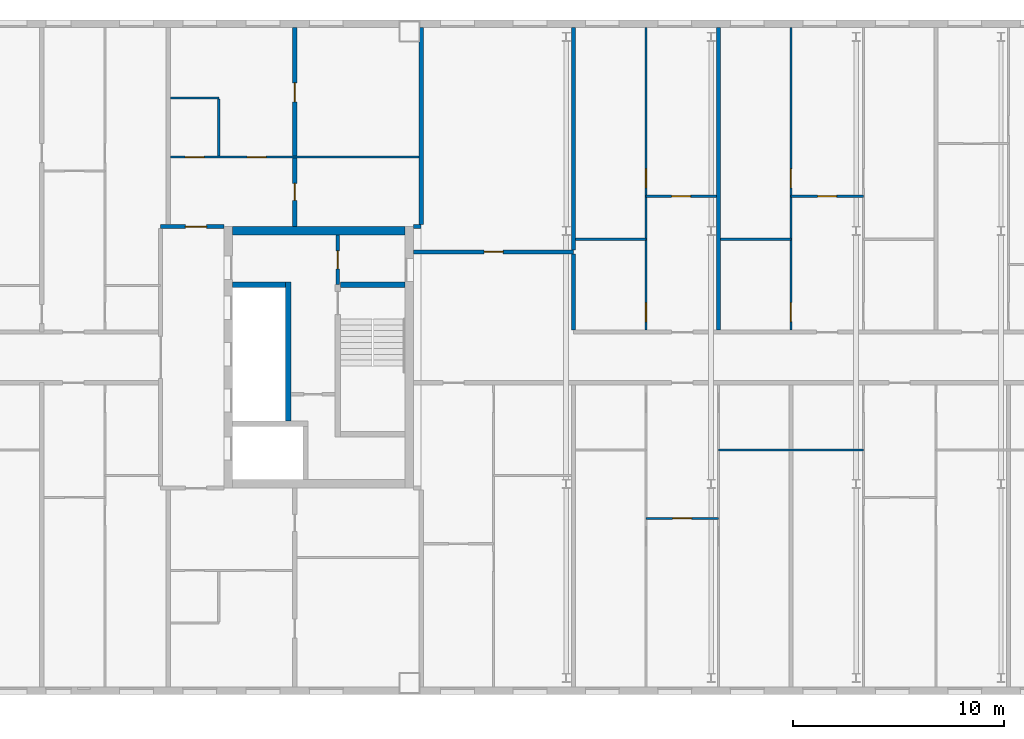
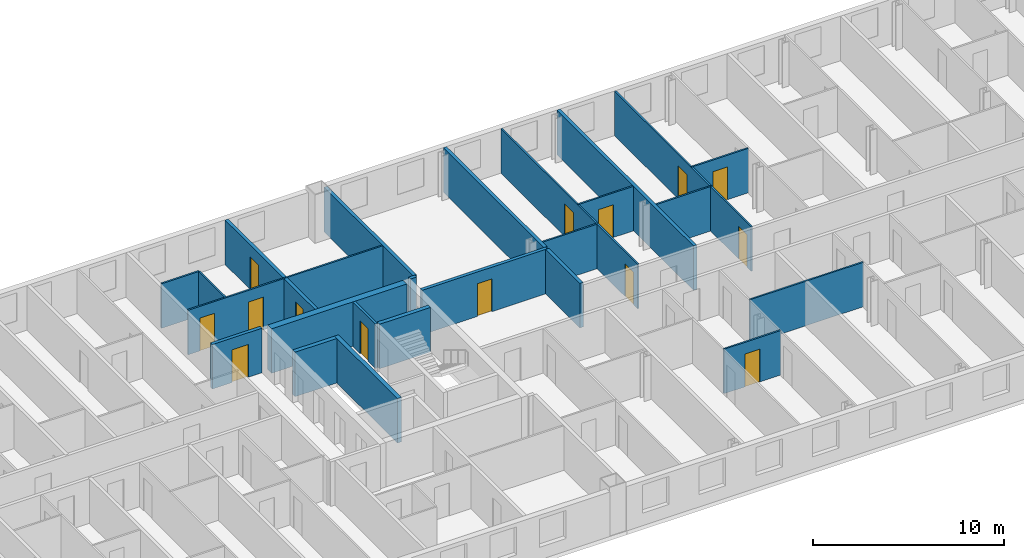
# One storey, part 9 of 19: 24 walls, 14 doors, 14 openings.
"""IFC4 building model written with IfcOpenShell, lengths in metres."""

import ifcopenshell
import ifcopenshell.guid

model = None  # the IFC model being written
_history = None  # IfcOwnerHistory: only IFC2X3 demands one
_inside = {}  # id of a spatial element -> (the spatial element, [elements in it])
_under = {}  # id of a project, library or spatial element -> (it, [spatial elements below it])
_declared = {}  # id of a project -> (the project, [libraries it declares])
_typed = {}  # id of a type object -> (the type object, [elements of that type])
_made_of = {}  # id of a material, layer set ... -> (it, [elements and type objects made of it])


def new_model(schema):
    """Start an empty IFC model of exactly this schema.

    Asked for "IFC4X3", IfcOpenShell would pick the latest addendum, in which some entities
    have other attributes; the version numbers below select the first issue.
    IFC2X3 requires an IfcOwnerHistory on every rooted entity: one is made here for all.
    """
    global model, _history
    if schema == "IFC4X3":
        model = ifcopenshell.file(schema_version=(4, 3, 0, 0))
    else:
        model = ifcopenshell.file(schema=schema)
    _inside.clear()
    _under.clear()
    _declared.clear()
    _typed.clear()
    _made_of.clear()
    _history = None
    if model.schema == "IFC2X3":
        org = make("IfcOrganization", Name="unknown")
        user = make(
            "IfcPersonAndOrganization",
            ThePerson=make("IfcPerson", FamilyName="unknown"),
            TheOrganization=org,
        )
        app = make(
            "IfcApplication",
            ApplicationDeveloper=org,
            Version="unknown",
            ApplicationFullName="unknown",
            ApplicationIdentifier="unknown",
        )
        _history = make(
            "IfcOwnerHistory",
            OwningUser=user,
            OwningApplication=app,
            ChangeAction="ADDED",
            CreationDate=0,
        )
    return model


def make(cls, **values):
    """One entity of the class cls with the attributes given. An attribute that is None is left unset."""
    return model.create_entity(
        cls, **{name: value for name, value in values.items() if value is not None}
    )


def rooted(cls, **values):
    """An entity with a GlobalId (a new one), such as an element, a storey or a relation."""
    return make(cls, GlobalId=ifcopenshell.guid.new(), OwnerHistory=_history, **values)


def si_unit(unit_type, name, prefix=None):
    """IfcSIUnit, for example si_unit("LENGTHUNIT", "METRE", prefix="MILLI")."""
    return make("IfcSIUnit", UnitType=unit_type, Prefix=prefix, Name=name)


def assignment(units):
    """IfcUnitAssignment: the units of a project."""
    return None if units is None else make("IfcUnitAssignment", Units=units)


def point(xyz):
    """IfcCartesianPoint."""
    return None if xyz is None else make("IfcCartesianPoint", Coordinates=xyz)


def direction(xyz):
    """IfcDirection."""
    return None if xyz is None else make("IfcDirection", DirectionRatios=xyz)


def frame(location, z_axis=None, x_axis=None):
    """IfcAxis2Placement3D, a coordinate frame: its origin and axes. An axis left out is left unset."""
    return make(
        "IfcAxis2Placement3D",
        Location=point(location),
        Axis=direction(z_axis),
        RefDirection=direction(x_axis),
    )


def frame_2d(location, x_axis=None):
    """IfcAxis2Placement2D, a coordinate frame in the plane: its origin and x axis."""
    return make(
        "IfcAxis2Placement2D", Location=point(location), RefDirection=direction(x_axis)
    )


def origin():
    """The frame at (0, 0, 0) with its axes left unset."""
    return frame((0.0, 0.0, 0.0))


def place(relative_to, where):
    """IfcLocalPlacement: puts the frame where relative to a parent placement (None: the world)."""
    return make(
        "IfcLocalPlacement", PlacementRelTo=relative_to, RelativePlacement=where
    )


def context(
    kind, dimensions, precision=None, world=None, true_north=None, identifier=None
):
    """IfcGeometricRepresentationContext, for example the 3D "Model" context."""
    return make(
        "IfcGeometricRepresentationContext",
        ContextIdentifier=identifier,
        ContextType=kind,
        CoordinateSpaceDimension=dimensions,
        Precision=precision,
        WorldCoordinateSystem=world,
        TrueNorth=true_north,
    )


def subcontext(parent, identifier, kind, view, scale=None):
    """IfcGeometricRepresentationSubContext, for example "Body" below "Model"."""
    return make(
        "IfcGeometricRepresentationSubContext",
        ContextIdentifier=identifier,
        ContextType=kind,
        ParentContext=parent,
        TargetScale=scale,
        TargetView=view,
    )


def project(units=None, contexts=None):
    """IfcProject with its units and contexts."""
    return rooted(
        "IfcProject",
        Name="project",
        RepresentationContexts=contexts,
        UnitsInContext=assignment(units),
    )


def spatial(cls, under=None, at=None, **own):
    """A site, building, storey or space (cls), placed at a placement, below another one or the project."""
    s = rooted(cls, ObjectPlacement=at, **own)
    if under is not None:
        _under.setdefault(under.id(), (under, []))[1].append(s)
    return s


def profile(cls, at=None, kind="AREA", **sizes):
    """A parametric profile (cls). Its sizes go by their IFC names, for example OverallWidth=200.0."""
    return make(cls, ProfileType=kind, Position=at, **sizes)


def rectangle(**sizes):
    """IfcRectangleProfileDef."""
    return profile("IfcRectangleProfileDef", **sizes)


def extrude(swept, where, along, depth):
    """IfcExtrudedAreaSolid: the profile swept, set in the frame where, extruded along a direction by depth."""
    return make(
        "IfcExtrudedAreaSolid",
        SweptArea=swept,
        Position=where,
        ExtrudedDirection=direction(along),
        Depth=depth,
    )


def shape(context_of_items, identifier, shape_type, items):
    """IfcShapeRepresentation: the items that make up one representation, for example the "Body"."""
    return make(
        "IfcShapeRepresentation",
        ContextOfItems=context_of_items,
        RepresentationIdentifier=identifier,
        RepresentationType=shape_type,
        Items=items,
    )


def material(Name=None, Category=None):
    """IfcMaterial."""
    return make("IfcMaterial", Name=Name, Category=Category)


def layer(
    of_material, thickness, ventilated=None, Name=None, Category=None, Priority=None
):
    """IfcMaterialLayer: one layer of a wall or slab, of a material (None: an air gap)."""
    return make(
        "IfcMaterialLayer",
        Material=of_material,
        LayerThickness=thickness,
        IsVentilated=ventilated,
        Name=Name,
        Category=Category,
        Priority=Priority,
    )


def layer_set(layers, Name=None):
    """IfcMaterialLayerSet."""
    return make("IfcMaterialLayerSet", MaterialLayers=layers, LayerSetName=Name)


def made_of(thing, what):
    """Note that an element or type object is made of a material, layer set ...; save() writes the relation."""
    if what is not None:
        _made_of.setdefault(what.id(), (what, []))[1].append(thing)
    return thing


def type_object(cls, material=None, **own):
    """A type object (cls), such as IfcWallType, which elements share."""
    return made_of(rooted(cls, **own), material)


def element(
    cls,
    number,
    at=None,
    inside=None,
    cuts=None,
    type_object=None,
    material=None,
    context=None,
    identifier="Body",
    shape_type=None,
    held_by="IfcProductDefinitionShape",
    body=None,
    shapes=None,
    **own,
):
    """One element of the class cls, such as IfcWall. Its Tag is "e" and its number.

    at: its placement. inside: the storey or other place that contains it. cuts: it is an
    opening in that element (IfcRelVoidsElement). A single representation is given by context,
    identifier, shape_type and body (its items); several are given by shapes. held_by: the class
    of the entity that holds the representations. save() writes the other relations.
    """
    e = rooted(cls, Tag="e%d" % number, ObjectPlacement=at, **own)
    if body is not None:
        shapes = [shape(context, identifier, shape_type, body)]
    if shapes is not None:
        e.Representation = make(held_by, Representations=shapes)
    if inside is not None:
        _inside.setdefault(inside.id(), (inside, []))[1].append(e)
    if cuts is not None:
        rooted(
            "IfcRelVoidsElement", RelatingBuildingElement=cuts, RelatedOpeningElement=e
        )
    if type_object is not None:
        _typed.setdefault(type_object.id(), (type_object, []))[1].append(e)
    return made_of(e, material)


def fill(opening, filler):
    """IfcRelFillsElement: the door or window that sits in an opening."""
    return rooted(
        "IfcRelFillsElement",
        RelatingOpeningElement=opening,
        RelatedBuildingElement=filler,
    )


def aggregate(whole, parts):
    """IfcRelAggregates: a whole, such as a stair, and the parts it consists of."""
    return rooted("IfcRelAggregates", RelatingObject=whole, RelatedObjects=parts)


def save(model, path):
    """Write the relations noted so far, then the file.

    IfcRelAggregates (storeys below a building ...), IfcRelContainedInSpatialStructure (elements
    in a storey), IfcRelDefinesByType, IfcRelAssociatesMaterial and IfcRelDeclares: one each for
    every whole, place, type object, material and project.
    """
    for whole, parts in _under.values():
        aggregate(whole, parts)
    for where, things in _inside.values():
        rooted(
            "IfcRelContainedInSpatialStructure",
            RelatedElements=things,
            RelatingStructure=where,
        )
    for kind, things in _typed.values():
        rooted("IfcRelDefinesByType", RelatedObjects=things, RelatingType=kind)
    for what, things in _made_of.values():
        rooted("IfcRelAssociatesMaterial", RelatedObjects=things, RelatingMaterial=what)
    for by, libraries in _declared.values():
        rooted("IfcRelDeclares", RelatingContext=by, RelatedDefinitions=libraries)
    model.write(path)


model = new_model("IFC4")

# Units and contexts
model_context = context("Model", 3, precision=1e-05, world=origin(), true_north=direction((0.0, 1.0)))
body_context = subcontext(model_context, "Body", "Model", "MODEL_VIEW")
ifc_project = project(units=[si_unit("LENGTHUNIT", "METRE"), si_unit("AREAUNIT", "SQUARE_METRE"), si_unit("VOLUMEUNIT", "CUBIC_METRE"), si_unit("PLANEANGLEUNIT", "RADIAN"), si_unit("MASSUNIT", "GRAM", prefix="KILO")], contexts=[model_context])

# Site, building, storey
site_placement = place(None, origin())
site = spatial("IfcSite", under=ifc_project, at=site_placement, CompositionType="ELEMENT")
building_placement = place(site_placement, origin())
building = spatial("IfcBuilding", under=site, at=building_placement, Name="Tuart Gate Housing", CompositionType="ELEMENT")
storey_placement = place(building_placement, frame((0.0, 0.0, 224.5)))
storey = spatial("IfcBuildingStorey", under=building, at=storey_placement, Name="L63", CompositionType="ELEMENT", Elevation=224.5)

# Wall, opening, door
ifc_material_1 = material(Name="Plasterboard partition")
ifc_layer_1 = layer(ifc_material_1, 0.14990234375)
ifc_layer_set_1 = layer_set([ifc_layer_1], Name="Core partition 150")
wall_type_1 = type_object("IfcWallType", Name="Core partition 150", PredefinedType="PARTITIONING", material=ifc_layer_set_1)
wall_1_placement = place(storey_placement, frame((72.0400390625, 73.449951171875, 0.0), z_axis=(0.0, 0.0, 1.0), x_axis=(0.0, 1.0, 0.0)))
wall_1 = element("IfcWall", 1, at=wall_1_placement, inside=storey, type_object=wall_type_1, Name="Core partition AG.9", PredefinedType="PARTITIONING", context=body_context, shape_type="SweptSolid", body=[
    extrude(rectangle(XDim=2.35009765625, YDim=0.14990234375, at=frame_2d((1.175048828125, 0.0))), origin(), (0.0, 0.0, 1.0), 2.85009765625),
])
opening_1_placement = place(wall_1_placement, frame((0.75, 0.0, 0.0)))
opening_1 = element("IfcOpeningElement", 2, at=opening_1_placement, cuts=wall_1, Name="Opening D2297", PredefinedType="OPENING", context=body_context, shape_type="SweptSolid", body=[
    extrude(rectangle(XDim=0.85009765625, YDim=2.10009765625, at=frame_2d((0.425048828125, 1.050048828125))), frame((0.0, 0.0849609375, 0.0), z_axis=(0.0, -1.0, 0.0), x_axis=(1.0, 0.0, 0.0)), (0.0, 0.0, 1.0), 0.169921875),
])
ifc_material_2 = material(Name="Steel fire door", Category="steel")
door_type_1 = type_object("IfcDoorType", Name="Service door 850 x 2100 RH", OperationType="SINGLE_SWING_RIGHT", PredefinedType="DOOR", material=ifc_material_2)
door_1_placement = place(opening_1_placement, frame((0.85009765625, 0.0, 0.0), z_axis=(0.0, 0.0, 1.0), x_axis=(-1.0, 0.0, 0.0)))
door_1 = element("IfcDoor", 3, at=door_1_placement, inside=storey, type_object=door_type_1, Name="Service room door AG.ST", OperationType="SINGLE_SWING_RIGHT", OverallHeight=2.10009765625, OverallWidth=0.85009765625, PredefinedType="DOOR", context=body_context, shape_type="SweptSolid", body=[
    extrude(rectangle(XDim=0.85009765625, YDim=2.10009765625, at=frame_2d((0.425048828125, 1.050048828125))), frame((0.0, 0.025146484375, 0.0), z_axis=(0.0, -1.0, 0.0), x_axis=(1.0, 0.0, 0.0)), (0.0, 0.0, 1.0), 0.050048828125),
])
fill(opening_1, door_1)

# Walls
ifc_material_3 = material(Name="Concrete C40", Category="concrete")
ifc_layer_2 = layer(ifc_material_3, 0.25)
ifc_layer_set_2 = layer_set([ifc_layer_2], Name="Core wall 250 C40")
wall_type_2 = type_object("IfcWallType", Name="Core wall 250 C40", PredefinedType="SHEAR", material=ifc_layer_set_2)
wall_2_placement = place(storey_placement, frame((67.0400390625, 73.449951171875, 0.0), z_axis=(0.0, 0.0, 1.0), x_axis=(1.0, 0.0, 0.0)))
element("IfcWall", 4, at=wall_2_placement, inside=storey, type_object=wall_type_2, Name="Core wall AG.4", PredefinedType="SHEAR", context=body_context, shape_type="SweptSolid", body=[
    extrude(rectangle(XDim=2.52490234375, YDim=0.25, at=frame_2d((1.262451171875, 0.0))), origin(), (0.0, 0.0, 1.0), 2.85009765625),
])
wall_3_placement = place(storey_placement, frame((72.1650390625, 73.449951171875, 0.0), z_axis=(0.0, 0.0, 1.0), x_axis=(1.0, 0.0, 0.0)))
element("IfcWall", 5, at=wall_3_placement, inside=storey, type_object=wall_type_2, Name="Core wall AG.5", PredefinedType="SHEAR", context=body_context, shape_type="SweptSolid", body=[
    extrude(rectangle(XDim=3.074951171875, YDim=0.25, at=frame_2d((1.53759765625, 0.0))), origin(), (0.0, 0.0, 1.0), 2.85009765625),
])
wall_4_placement = place(storey_placement, frame((69.68994140625, 66.97509765625, 0.0), z_axis=(0.0, 0.0, 1.0), x_axis=(0.0, 1.0, 0.0)))
element("IfcWall", 6, at=wall_4_placement, inside=storey, type_object=wall_type_2, Name="Core wall AG.6", PredefinedType="SHEAR", context=body_context, shape_type="SweptSolid", body=[
    extrude(rectangle(XDim=6.599853515625, YDim=0.25, at=frame_2d((3.2998046875, 0.0))), origin(), (0.0, 0.0, 1.0), 2.85009765625),
])
ifc_material_4 = material(Name="Concrete C40", Category="concrete")
ifc_layer_3 = layer(ifc_material_4, 0.39990234375)
ifc_layer_set_3 = layer_set([ifc_layer_3], Name="Core wall 400 C40")
wall_type_3 = type_object("IfcWallType", Name="Core wall 400 C40", PredefinedType="SHEAR", material=ifc_layer_set_3)
wall_5_placement = place(storey_placement, frame((67.0400390625, 76.0, 0.0), z_axis=(0.0, 0.0, 1.0), x_axis=(1.0, 0.0, 0.0)))
element("IfcWall", 7, at=wall_5_placement, inside=storey, type_object=wall_type_3, Name="Core wall AG north", PredefinedType="SHEAR", context=body_context, shape_type="SweptSolid", body=[
    extrude(rectangle(XDim=8.199951171875, YDim=0.39990234375, at=frame_2d((4.10009765625, 0.0))), origin(), (0.0, 0.0, 1.0), 2.85009765625),
])

# Wall, opening, door
ifc_material_5 = material(Name="Concrete masonry 15 MPa", Category="masonry")
ifc_layer_4 = layer(ifc_material_5, 0.199951171875)
ifc_layer_set_4 = layer_set([ifc_layer_4], Name="Corridor wall masonry 200")
wall_type_4 = type_object("IfcWallType", Name="Corridor wall masonry 200", PredefinedType="PARTITIONING", material=ifc_layer_set_4)
wall_6_placement = place(storey_placement, frame((75.639892578125, 75.0, 0.0), z_axis=(0.0, 0.0, 1.0), x_axis=(1.0, 0.0, 0.0)))
wall_6 = element("IfcWall", 8, at=wall_6_placement, inside=storey, type_object=wall_type_4, Name="Corridor wall masonry 200", PredefinedType="PARTITIONING", context=body_context, shape_type="SweptSolid", body=[
    extrude(rectangle(XDim=7.585205078125, YDim=0.199951171875, at=frame_2d((3.79248046875, 0.0))), origin(), (0.0, 0.0, 1.0), 2.85009765625),
])
opening_2_placement = place(wall_6_placement, frame((3.342529296875, 0.0, 0.0)))
opening_2 = element("IfcOpeningElement", 9, at=opening_2_placement, cuts=wall_6, Name="Opening D2352", PredefinedType="OPENING", context=body_context, shape_type="SweptSolid", body=[
    extrude(rectangle(XDim=0.89990234375, YDim=2.10009765625, at=frame_2d((0.449951171875, 1.050048828125))), frame((0.0, 0.10986328125, 0.0), z_axis=(0.0, -1.0, 0.0), x_axis=(1.0, 0.0, 0.0)), (0.0, 0.0, 1.0), 0.219970703125),
])
ifc_material_6 = material(Name="Timber door leaf in steel frame", Category="steel")
door_type_2 = type_object("IfcDoorType", Name="Internal door 900", OperationType="SINGLE_SWING_LEFT", PredefinedType="DOOR", material=ifc_material_6)
door_2_placement = place(opening_2_placement, origin())
door_2 = element("IfcDoor", 10, at=door_2_placement, inside=storey, type_object=door_type_2, Name="Internal door", OperationType="SINGLE_SWING_LEFT", OverallHeight=2.10009765625, OverallWidth=0.89990234375, PredefinedType="DOOR", context=body_context, shape_type="SweptSolid", body=[
    extrude(rectangle(XDim=0.89990234375, YDim=2.10009765625, at=frame_2d((0.449951171875, 1.050048828125))), frame((0.0, 0.02490234375, 0.0), z_axis=(0.0, -1.0, 0.0), x_axis=(1.0, 0.0, 0.0)), (0.0, 0.0, 1.0), 0.050048828125),
])
fill(opening_2, door_2)

# Wall
wall_7_placement = place(storey_placement, frame((83.22509765625, 71.300048828125, 0.0), z_axis=(0.0, 0.0, 1.0), x_axis=(0.0, 1.0, 0.0)))
element("IfcWall", 11, at=wall_7_placement, inside=storey, type_object=wall_type_4, Name="Corridor wall masonry 200", PredefinedType="PARTITIONING", context=body_context, shape_type="SweptSolid", body=[
    extrude(rectangle(XDim=3.599853515625, YDim=0.199951171875, at=frame_2d((1.7998046875, 0.0))), origin(), (0.0, 0.0, 1.0), 2.85009765625),
])

# Wall, opening, door
ifc_material_7 = material(Name="Concrete masonry 15 MPa", Category="masonry")
ifc_layer_5 = layer(ifc_material_7, 0.199951171875)
ifc_layer_set_5 = layer_set([ifc_layer_5], Name="Enclosure wall masonry 200")
wall_type_5 = type_object("IfcWallType", Name="Enclosure wall masonry 200", PredefinedType="PARTITIONING", material=ifc_layer_set_5)
wall_8_placement = place(storey_placement, frame((63.639892578125, 76.199951171875, 0.0), z_axis=(0.0, 0.0, 1.0), x_axis=(1.0, 0.0, 0.0)))
wall_8 = element("IfcWall", 12, at=wall_8_placement, inside=storey, type_object=wall_type_5, Name="Enclosure wall masonry 200", PredefinedType="PARTITIONING", context=body_context, shape_type="SweptSolid", body=[
    extrude(rectangle(XDim=3.0, YDim=0.199951171875, at=frame_2d((1.5, 0.0))), origin(), (0.0, 0.0, 1.0), 2.85009765625),
])
opening_3_placement = place(wall_8_placement, frame((1.179931640625, 0.0, 0.0)))
opening_3 = element("IfcOpeningElement", 13, at=opening_3_placement, cuts=wall_8, Name="Opening D2296", PredefinedType="OPENING", context=body_context, shape_type="SweptSolid", body=[
    extrude(rectangle(XDim=1.0, YDim=2.10009765625, at=frame_2d((0.5, 1.050048828125))), frame((0.0, 0.10986328125, 0.0), z_axis=(0.0, -1.0, 0.0), x_axis=(1.0, 0.0, 0.0)), (0.0, 0.0, 1.0), 0.219970703125),
])
ifc_material_8 = material(Name="Timber door leaf in steel frame", Category="steel")
door_type_3 = type_object("IfcDoorType", Name="Flat entrance door 1000", OperationType="SINGLE_SWING_LEFT", PredefinedType="DOOR", material=ifc_material_8)
door_3_placement = place(opening_3_placement, origin())
door_3 = element("IfcDoor", 14, at=door_3_placement, inside=storey, type_object=door_type_3, Name="Flat entrance door", OperationType="SINGLE_SWING_LEFT", OverallHeight=2.10009765625, OverallWidth=1.0, PredefinedType="DOOR", context=body_context, shape_type="SweptSolid", body=[
    extrude(rectangle(XDim=1.0, YDim=2.10009765625, at=frame_2d((0.5, 1.050048828125))), frame((0.0, 0.02490234375, 0.0), z_axis=(0.0, -1.0, 0.0), x_axis=(1.0, 0.0, 0.0)), (0.0, 0.0, 1.0), 0.050048828125),
])
fill(opening_3, door_3)

ifc_material_9 = material(Name="Gypsum board on steel studs", Category="steel")
ifc_layer_6 = layer(ifc_material_9, 0.10009765625)
ifc_layer_set_6 = layer_set([ifc_layer_6], Name="Partition 100")
wall_type_6 = type_object("IfcWallType", Name="Partition 100", PredefinedType="PARTITIONING", material=ifc_layer_set_6)
wall_9_placement = place(storey_placement, frame((86.662109375, 62.360107421875, 0.0), z_axis=(0.0, 0.0, 1.0), x_axis=(1.0, 0.0, 0.0)))
wall_9 = element("IfcWall", 15, at=wall_9_placement, inside=storey, type_object=wall_type_6, Name="Partition 100", PredefinedType="PARTITIONING", context=body_context, shape_type="SweptSolid", body=[
    extrude(rectangle(XDim=3.43798828125, YDim=0.10009765625, at=frame_2d((1.718994140625, 0.0))), origin(), (0.0, 0.0, 1.0), 2.85009765625),
])
opening_4_placement = place(wall_9_placement, frame((1.26904296875, 0.0, 0.0)))
opening_4 = element("IfcOpeningElement", 16, at=opening_4_placement, cuts=wall_9, Name="Opening D2367", PredefinedType="OPENING", context=body_context, shape_type="SweptSolid", body=[
    extrude(rectangle(XDim=0.89990234375, YDim=2.10009765625, at=frame_2d((0.449951171875, 1.050048828125))), frame((0.0, 0.06005859375, 0.0), z_axis=(0.0, -1.0, 0.0), x_axis=(1.0, 0.0, 0.0)), (0.0, 0.0, 1.0), 0.1201171875),
])
door_4_placement = place(opening_4_placement, origin())
door_4 = element("IfcDoor", 17, at=door_4_placement, inside=storey, type_object=door_type_2, Name="Internal door", OperationType="SINGLE_SWING_LEFT", OverallHeight=2.10009765625, OverallWidth=0.89990234375, PredefinedType="DOOR", context=body_context, shape_type="SweptSolid", body=[
    extrude(rectangle(XDim=0.89990234375, YDim=2.10009765625, at=frame_2d((0.449951171875, 1.050048828125))), frame((0.0, 0.02490234375, 0.0), z_axis=(0.0, -1.0, 0.0), x_axis=(1.0, 0.0, 0.0)), (0.0, 0.0, 1.0), 0.050048828125),
])
fill(opening_4, door_4)

# Walls
wall_10_placement = place(storey_placement, frame((90.10009765625, 65.60009765625, 0.0), z_axis=(0.0, 0.0, 1.0), x_axis=(1.0, 0.0, 0.0)))
element("IfcWall", 18, at=wall_10_placement, inside=storey, type_object=wall_type_6, Name="Partition 100", PredefinedType="PARTITIONING", context=body_context, shape_type="SweptSolid", body=[
    extrude(rectangle(XDim=6.875, YDim=0.10009765625, at=frame_2d((3.4375, 0.0))), origin(), (0.0, 0.0, 1.0), 2.85009765625),
])
for number, where, z_axis, x_axis, name in (
    (19, (83.324951171875, 75.60009765625, 0.0), (0.0, 0.0, 1.0), (1.0, 0.0, 0.0), "Partition 100"),
    (20, (90.199951171875, 75.60009765625, 0.0), (0.0, 0.0, 1.0), (1.0, 0.0, 0.0), "Partition 100"),
):
    element("IfcWall", number, at=place(storey_placement, frame(where, z_axis=z_axis, x_axis=x_axis)), inside=storey, type_object=wall_type_6, Name=name, PredefinedType="PARTITIONING", context=body_context, shape_type="SweptSolid", body=[
        extrude(rectangle(XDim=3.337158203125, YDim=0.10009765625, at=frame_2d((1.66845703125, 0.0))), origin(), (0.0, 0.0, 1.0), 2.85009765625),
    ])

# Wall, opening, door
wall_11_placement = place(storey_placement, frame((86.662109375, 77.639892578125, 0.0), z_axis=(0.0, 0.0, 1.0), x_axis=(1.0, 0.0, 0.0)))
wall_11 = element("IfcWall", 21, at=wall_11_placement, inside=storey, type_object=wall_type_6, Name="Partition 100", PredefinedType="PARTITIONING", context=body_context, shape_type="SweptSolid", body=[
    extrude(rectangle(XDim=3.337890625, YDim=0.10009765625, at=frame_2d((1.6689453125, 0.0))), origin(), (0.0, 0.0, 1.0), 2.85009765625),
])
opening_5_placement = place(wall_11_placement, frame((1.218994140625, 0.0, 0.0)))
opening_5 = element("IfcOpeningElement", 22, at=opening_5_placement, cuts=wall_11, Name="Opening D2350", PredefinedType="OPENING", context=body_context, shape_type="SweptSolid", body=[
    extrude(rectangle(XDim=0.89990234375, YDim=2.10009765625, at=frame_2d((0.449951171875, 1.050048828125))), frame((0.0, 0.06005859375, 0.0), z_axis=(0.0, -1.0, 0.0), x_axis=(1.0, 0.0, 0.0)), (0.0, 0.0, 1.0), 0.1201171875),
])
ifc_material_10 = material(Name="Timber door leaf in steel frame", Category="steel")
door_type_4 = type_object("IfcDoorType", Name="Internal door 900 RH", OperationType="SINGLE_SWING_RIGHT", PredefinedType="DOOR", material=ifc_material_10)
door_5_placement = place(opening_5_placement, frame((0.89990234375, 0.0, 0.0), z_axis=(0.0, 0.0, 1.0), x_axis=(-1.0, 0.0, 0.0)))
door_5 = element("IfcDoor", 23, at=door_5_placement, inside=storey, type_object=door_type_4, Name="Internal door", OperationType="SINGLE_SWING_RIGHT", OverallHeight=2.10009765625, OverallWidth=0.89990234375, PredefinedType="DOOR", context=body_context, shape_type="SweptSolid", body=[
    extrude(rectangle(XDim=0.89990234375, YDim=2.10009765625, at=frame_2d((0.449951171875, 1.050048828125))), frame((0.0, 0.025146484375, 0.0), z_axis=(0.0, -1.0, 0.0), x_axis=(1.0, 0.0, 0.0)), (0.0, 0.0, 1.0), 0.050048828125),
])
fill(opening_5, door_5)

wall_12_placement = place(storey_placement, frame((93.537109375, 77.639892578125, 0.0), z_axis=(0.0, 0.0, 1.0), x_axis=(1.0, 0.0, 0.0)))
wall_12 = element("IfcWall", 24, at=wall_12_placement, inside=storey, type_object=wall_type_6, Name="Partition 100", PredefinedType="PARTITIONING", context=body_context, shape_type="SweptSolid", body=[
    extrude(rectangle(XDim=3.43798828125, YDim=0.10009765625, at=frame_2d((1.718994140625, 0.0))), origin(), (0.0, 0.0, 1.0), 2.85009765625),
])
opening_6_placement = place(wall_12_placement, frame((1.26904296875, 0.0, 0.0)))
opening_6 = element("IfcOpeningElement", 25, at=opening_6_placement, cuts=wall_12, Name="Opening D2351", PredefinedType="OPENING", context=body_context, shape_type="SweptSolid", body=[
    extrude(rectangle(XDim=0.89990234375, YDim=2.10009765625, at=frame_2d((0.449951171875, 1.050048828125))), frame((0.0, 0.06005859375, 0.0), z_axis=(0.0, -1.0, 0.0), x_axis=(1.0, 0.0, 0.0)), (0.0, 0.0, 1.0), 0.1201171875),
])
door_6_placement = place(opening_6_placement, frame((0.89990234375, 0.0, 0.0), z_axis=(0.0, 0.0, 1.0), x_axis=(-1.0, 0.0, 0.0)))
door_6 = element("IfcDoor", 26, at=door_6_placement, inside=storey, type_object=door_type_4, Name="Internal door", OperationType="SINGLE_SWING_RIGHT", OverallHeight=2.10009765625, OverallWidth=0.89990234375, PredefinedType="DOOR", context=body_context, shape_type="SweptSolid", body=[
    extrude(rectangle(XDim=0.89990234375, YDim=2.10009765625, at=frame_2d((0.449951171875, 1.050048828125))), frame((0.0, 0.025146484375, 0.0), z_axis=(0.0, -1.0, 0.0), x_axis=(1.0, 0.0, 0.0)), (0.0, 0.0, 1.0), 0.050048828125),
])
fill(opening_6, door_6)

# Wall, openings, doors
wall_13_placement = place(storey_placement, frame((64.10009765625, 79.5, 0.0), z_axis=(0.0, 0.0, 1.0), x_axis=(1.0, 0.0, 0.0)))
wall_13 = element("IfcWall", 27, at=wall_13_placement, inside=storey, type_object=wall_type_6, Name="Partition 100", PredefinedType="PARTITIONING", context=body_context, shape_type="SweptSolid", body=[
    extrude(rectangle(XDim=11.7998046875, YDim=0.10009765625, at=frame_2d((5.89990234375, 0.0))), origin(), (0.0, 0.0, 1.0), 2.85009765625),
])
opening_7_placement = place(wall_13_placement, frame((3.64990234375, 0.0, 0.0)))
opening_7 = element("IfcOpeningElement", 28, at=opening_7_placement, cuts=wall_13, Name="Opening D2284", PredefinedType="OPENING", context=body_context, shape_type="SweptSolid", body=[
    extrude(rectangle(XDim=0.89990234375, YDim=2.10009765625, at=frame_2d((0.449951171875, 1.050048828125))), frame((0.0, 0.06005859375, 0.0), z_axis=(0.0, -1.0, 0.0), x_axis=(1.0, 0.0, 0.0)), (0.0, 0.0, 1.0), 0.1201171875),
])
opening_8_placement = place(wall_13_placement, frame((0.699951171875, 0.0, 0.0)))
opening_8 = element("IfcOpeningElement", 29, at=opening_8_placement, cuts=wall_13, Name="Opening D2283", PredefinedType="OPENING", context=body_context, shape_type="SweptSolid", body=[
    extrude(rectangle(XDim=0.89990234375, YDim=2.10009765625, at=frame_2d((0.449951171875, 1.050048828125))), frame((0.0, 0.06005859375, 0.0), z_axis=(0.0, -1.0, 0.0), x_axis=(1.0, 0.0, 0.0)), (0.0, 0.0, 1.0), 0.1201171875),
])
ifc_material_11 = material(Name="Timber door leaf in steel frame", Category="steel")
door_type_5 = type_object("IfcDoorType", Name="Bathroom door 900 RH", OperationType="SINGLE_SWING_RIGHT", PredefinedType="DOOR", material=ifc_material_11)
door_7_placement = place(opening_8_placement, origin())
door_7 = element("IfcDoor", 30, at=door_7_placement, inside=storey, type_object=door_type_5, Name="Bathroom door", OperationType="SINGLE_SWING_RIGHT", OverallHeight=2.10009765625, OverallWidth=0.89990234375, PredefinedType="DOOR", context=body_context, shape_type="SweptSolid", body=[
    extrude(rectangle(XDim=0.89990234375, YDim=2.10009765625, at=frame_2d((0.449951171875, 1.050048828125))), frame((0.0, 0.02490234375, 0.0), z_axis=(0.0, -1.0, 0.0), x_axis=(1.0, 0.0, 0.0)), (0.0, 0.0, 1.0), 0.050048828125),
])
fill(opening_8, door_7)
door_8_placement = place(opening_7_placement, frame((0.89990234375, 0.0, 0.0), z_axis=(0.0, 0.0, 1.0), x_axis=(-1.0, 0.0, 0.0)))
door_8 = element("IfcDoor", 31, at=door_8_placement, inside=storey, type_object=door_type_2, Name="Internal door", OperationType="SINGLE_SWING_LEFT", OverallHeight=2.10009765625, OverallWidth=0.89990234375, PredefinedType="DOOR", context=body_context, shape_type="SweptSolid", body=[
    extrude(rectangle(XDim=0.89990234375, YDim=2.10009765625, at=frame_2d((0.449951171875, 1.050048828125))), frame((0.0, 0.025146484375, 0.0), z_axis=(0.0, -1.0, 0.0), x_axis=(1.0, 0.0, 0.0)), (0.0, 0.0, 1.0), 0.050048828125),
])
fill(opening_7, door_8)

# Walls
wall_14_placement = place(storey_placement, frame((64.10009765625, 82.300048828125, 0.0), z_axis=(0.0, 0.0, 1.0), x_axis=(1.0, 0.0, 0.0)))
element("IfcWall", 32, at=wall_14_placement, inside=storey, type_object=wall_type_6, Name="Partition 100", PredefinedType="PARTITIONING", context=body_context, shape_type="SweptSolid", body=[
    extrude(rectangle(XDim=2.2998046875, YDim=0.10009765625, at=frame_2d((1.14990234375, 0.0))), origin(), (0.0, 0.0, 1.0), 2.85009765625),
])
wall_15_placement = place(storey_placement, frame((66.39990234375, 79.550048828125, 0.0), z_axis=(0.0, 0.0, 1.0), x_axis=(0.0, 1.0, 0.0)))
element("IfcWall", 33, at=wall_15_placement, inside=storey, type_object=wall_type_6, Name="Partition 100", PredefinedType="PARTITIONING", context=body_context, shape_type="SweptSolid", body=[
    extrude(rectangle(XDim=2.699951171875, YDim=0.10009765625, at=frame_2d((1.35009765625, 0.0))), origin(), (0.0, 0.0, 1.0), 2.85009765625),
])

# Wall, openings, doors
wall_16_placement = place(storey_placement, frame((86.662109375, 71.300048828125, 0.0), z_axis=(0.0, 0.0, 1.0), x_axis=(0.0, 1.0, 0.0)))
wall_16 = element("IfcWall", 34, at=wall_16_placement, inside=storey, type_object=wall_type_6, Name="Partition 100", PredefinedType="PARTITIONING", context=body_context, shape_type="SweptSolid", body=[
    extrude(rectangle(XDim=14.33984375, YDim=0.10009765625, at=frame_2d((7.169921875, 0.0))), origin(), (0.0, 0.0, 1.0), 2.85009765625),
])
opening_9_placement = place(wall_16_placement, frame((6.739990234375, 0.0, 0.0)))
opening_9 = element("IfcOpeningElement", 35, at=opening_9_placement, cuts=wall_16, Name="Opening D2337", PredefinedType="OPENING", context=body_context, shape_type="SweptSolid", body=[
    extrude(rectangle(XDim=0.89990234375, YDim=2.10009765625, at=frame_2d((0.449951171875, 1.050048828125))), frame((0.0, 0.06005859375, 0.0), z_axis=(0.0, -1.0, 0.0), x_axis=(1.0, 0.0, 0.0)), (0.0, 0.0, 1.0), 0.1201171875),
])
opening_10_placement = place(wall_16_placement, frame((0.39990234375, 0.0, 0.0)))
opening_10 = element("IfcOpeningElement", 36, at=opening_10_placement, cuts=wall_16, Name="Opening D2336", PredefinedType="OPENING", context=body_context, shape_type="SweptSolid", body=[
    extrude(rectangle(XDim=0.89990234375, YDim=2.10009765625, at=frame_2d((0.449951171875, 1.050048828125))), frame((0.0, 0.06005859375, 0.0), z_axis=(0.0, -1.0, 0.0), x_axis=(1.0, 0.0, 0.0)), (0.0, 0.0, 1.0), 0.1201171875),
])
ifc_material_12 = material(Name="Timber door leaf in steel frame", Category="steel")
door_type_6 = type_object("IfcDoorType", Name="Bathroom door 900", OperationType="SINGLE_SWING_LEFT", PredefinedType="DOOR", material=ifc_material_12)
door_9_placement = place(opening_10_placement, origin())
door_9 = element("IfcDoor", 37, at=door_9_placement, inside=storey, type_object=door_type_6, Name="Bathroom door", OperationType="SINGLE_SWING_LEFT", OverallHeight=2.10009765625, OverallWidth=0.89990234375, PredefinedType="DOOR", context=body_context, shape_type="SweptSolid", body=[
    extrude(rectangle(XDim=0.89990234375, YDim=2.10009765625, at=frame_2d((0.449951171875, 1.050048828125))), frame((0.0, 0.02490234375, 0.0), z_axis=(0.0, -1.0, 0.0), x_axis=(1.0, 0.0, 0.0)), (0.0, 0.0, 1.0), 0.050048828125),
])
fill(opening_10, door_9)
door_10_placement = place(opening_9_placement, origin())
door_10 = element("IfcDoor", 38, at=door_10_placement, inside=storey, type_object=door_type_2, Name="Internal door", OperationType="SINGLE_SWING_LEFT", OverallHeight=2.10009765625, OverallWidth=0.89990234375, PredefinedType="DOOR", context=body_context, shape_type="SweptSolid", body=[
    extrude(rectangle(XDim=0.89990234375, YDim=2.10009765625, at=frame_2d((0.449951171875, 1.050048828125))), frame((0.0, 0.02490234375, 0.0), z_axis=(0.0, -1.0, 0.0), x_axis=(1.0, 0.0, 0.0)), (0.0, 0.0, 1.0), 0.050048828125),
])
fill(opening_9, door_10)

wall_17_placement = place(storey_placement, frame((93.537109375, 71.300048828125, 0.0), z_axis=(0.0, 0.0, 1.0), x_axis=(0.0, 1.0, 0.0)))
wall_17 = element("IfcWall", 39, at=wall_17_placement, inside=storey, type_object=wall_type_6, Name="Partition 100", PredefinedType="PARTITIONING", context=body_context, shape_type="SweptSolid", body=[
    extrude(rectangle(XDim=14.33984375, YDim=0.10009765625, at=frame_2d((7.169921875, 0.0))), origin(), (0.0, 0.0, 1.0), 2.85009765625),
])
opening_11_placement = place(wall_17_placement, frame((6.739990234375, 0.0, 0.0)))
opening_11 = element("IfcOpeningElement", 40, at=opening_11_placement, cuts=wall_17, Name="Opening D2339", PredefinedType="OPENING", context=body_context, shape_type="SweptSolid", body=[
    extrude(rectangle(XDim=0.89990234375, YDim=2.10009765625, at=frame_2d((0.449951171875, 1.050048828125))), frame((0.0, 0.06005859375, 0.0), z_axis=(0.0, -1.0, 0.0), x_axis=(1.0, 0.0, 0.0)), (0.0, 0.0, 1.0), 0.1201171875),
])
opening_12_placement = place(wall_17_placement, frame((0.39990234375, 0.0, 0.0)))
opening_12 = element("IfcOpeningElement", 41, at=opening_12_placement, cuts=wall_17, Name="Opening D2338", PredefinedType="OPENING", context=body_context, shape_type="SweptSolid", body=[
    extrude(rectangle(XDim=0.89990234375, YDim=2.10009765625, at=frame_2d((0.449951171875, 1.050048828125))), frame((0.0, 0.06005859375, 0.0), z_axis=(0.0, -1.0, 0.0), x_axis=(1.0, 0.0, 0.0)), (0.0, 0.0, 1.0), 0.1201171875),
])
door_11_placement = place(opening_12_placement, origin())
door_11 = element("IfcDoor", 42, at=door_11_placement, inside=storey, type_object=door_type_6, Name="Bathroom door", OperationType="SINGLE_SWING_LEFT", OverallHeight=2.10009765625, OverallWidth=0.89990234375, PredefinedType="DOOR", context=body_context, shape_type="SweptSolid", body=[
    extrude(rectangle(XDim=0.89990234375, YDim=2.10009765625, at=frame_2d((0.449951171875, 1.050048828125))), frame((0.0, 0.02490234375, 0.0), z_axis=(0.0, -1.0, 0.0), x_axis=(1.0, 0.0, 0.0)), (0.0, 0.0, 1.0), 0.050048828125),
])
fill(opening_12, door_11)
door_12_placement = place(opening_11_placement, origin())
door_12 = element("IfcDoor", 43, at=door_12_placement, inside=storey, type_object=door_type_2, Name="Internal door", OperationType="SINGLE_SWING_LEFT", OverallHeight=2.10009765625, OverallWidth=0.89990234375, PredefinedType="DOOR", context=body_context, shape_type="SweptSolid", body=[
    extrude(rectangle(XDim=0.89990234375, YDim=2.10009765625, at=frame_2d((0.449951171875, 1.050048828125))), frame((0.0, 0.02490234375, 0.0), z_axis=(0.0, -1.0, 0.0), x_axis=(1.0, 0.0, 0.0)), (0.0, 0.0, 1.0), 0.050048828125),
])
fill(opening_11, door_12)

ifc_material_13 = material(Name="Concrete C40", Category="concrete")
ifc_layer_7 = layer(ifc_material_13, 0.199951171875)
ifc_layer_set_7 = layer_set([ifc_layer_7], Name="Party wall concrete C40 200")
wall_type_7 = type_object("IfcWallType", Name="Party wall concrete C40 200", PredefinedType="SOLIDWALL", material=ifc_layer_set_7)
wall_18_placement = place(storey_placement, frame((70.0, 76.199951171875, 0.0), z_axis=(0.0, 0.0, 1.0), x_axis=(0.0, 1.0, 0.0)))
wall_18 = element("IfcWall", 44, at=wall_18_placement, inside=storey, type_object=wall_type_7, Name="Party wall concrete C40 200", PredefinedType="SOLIDWALL", context=body_context, shape_type="SweptSolid", body=[
    extrude(rectangle(XDim=9.43994140625, YDim=0.199951171875, at=frame_2d((4.719970703125, 0.0))), origin(), (0.0, 0.0, 1.0), 2.85009765625),
])
opening_13_placement = place(wall_18_placement, frame((5.919921875, 0.0, 0.0)))
opening_13 = element("IfcOpeningElement", 45, at=opening_13_placement, cuts=wall_18, Name="Opening D2279", PredefinedType="OPENING", context=body_context, shape_type="SweptSolid", body=[
    extrude(rectangle(XDim=0.89990234375, YDim=2.10009765625, at=frame_2d((0.449951171875, 1.050048828125))), frame((0.0, 0.10986328125, 0.0), z_axis=(0.0, -1.0, 0.0), x_axis=(1.0, 0.0, 0.0)), (0.0, 0.0, 1.0), 0.219970703125),
])
opening_14_placement = place(wall_18_placement, frame((1.25, 0.0, 0.0)))
opening_14 = element("IfcOpeningElement", 46, at=opening_14_placement, cuts=wall_18, Name="Opening D2280", PredefinedType="OPENING", context=body_context, shape_type="SweptSolid", body=[
    extrude(rectangle(XDim=0.800048828125, YDim=2.10009765625, at=frame_2d((0.39990234375, 1.050048828125))), frame((0.0, 0.10986328125, 0.0), z_axis=(0.0, -1.0, 0.0), x_axis=(1.0, 0.0, 0.0)), (0.0, 0.0, 1.0), 0.219970703125),
])
door_13_placement = place(opening_13_placement, frame((0.89990234375, 0.0, 0.0), z_axis=(0.0, 0.0, 1.0), x_axis=(-1.0, 0.0, 0.0)))
door_13 = element("IfcDoor", 47, at=door_13_placement, inside=storey, type_object=door_type_4, Name="Internal door", OperationType="SINGLE_SWING_RIGHT", OverallHeight=2.10009765625, OverallWidth=0.89990234375, PredefinedType="DOOR", context=body_context, shape_type="SweptSolid", body=[
    extrude(rectangle(XDim=0.89990234375, YDim=2.10009765625, at=frame_2d((0.449951171875, 1.050048828125))), frame((0.0, 0.025146484375, 0.0), z_axis=(0.0, -1.0, 0.0), x_axis=(1.0, 0.0, 0.0)), (0.0, 0.0, 1.0), 0.050048828125),
])
fill(opening_13, door_13)
ifc_material_14 = material(Name="Timber door leaf in steel frame", Category="steel")
door_type_7 = type_object("IfcDoorType", Name="Store door 800 RH", OperationType="SINGLE_SWING_RIGHT", PredefinedType="DOOR", material=ifc_material_14)
door_14_placement = place(opening_14_placement, frame((0.800048828125, 0.0, 0.0), z_axis=(0.0, 0.0, 1.0), x_axis=(-1.0, 0.0, 0.0)))
door_14 = element("IfcDoor", 48, at=door_14_placement, inside=storey, type_object=door_type_7, Name="Store door", OperationType="SINGLE_SWING_RIGHT", OverallHeight=2.10009765625, OverallWidth=0.800048828125, PredefinedType="DOOR", context=body_context, shape_type="SweptSolid", body=[
    extrude(rectangle(XDim=0.800048828125, YDim=2.10009765625, at=frame_2d((0.400146484375, 1.050048828125))), frame((0.0, 0.025146484375, 0.0), z_axis=(0.0, -1.0, 0.0), x_axis=(1.0, 0.0, 0.0)), (0.0, 0.0, 1.0), 0.050048828125),
])
fill(opening_14, door_14)

# Walls
ifc_material_15 = material(Name="Concrete masonry 15 MPa", Category="masonry")
ifc_layer_8 = layer(ifc_material_15, 0.199951171875)
ifc_layer_set_8 = layer_set([ifc_layer_8], Name="Party wall masonry 200")
wall_type_8 = type_object("IfcWallType", Name="Party wall masonry 200", PredefinedType="PARTITIONING", material=ifc_layer_set_8)
wall_19_placement = place(storey_placement, frame((75.639892578125, 76.199951171875, 0.0), z_axis=(0.0, 0.0, 1.0), x_axis=(1.0, 0.0, 0.0)))
element("IfcWall", 49, at=wall_19_placement, inside=storey, type_object=wall_type_8, Name="Party wall masonry 200", PredefinedType="PARTITIONING", context=body_context, shape_type="SweptSolid", body=[
    extrude(rectangle(XDim=0.360107421875, YDim=0.199951171875, at=frame_2d((0.18017578125, 0.0))), origin(), (0.0, 0.0, 1.0), 2.85009765625),
])
wall_20_placement = place(storey_placement, frame((76.0, 76.300048828125, 0.0), z_axis=(0.0, 0.0, 1.0), x_axis=(0.0, 1.0, 0.0)))
element("IfcWall", 50, at=wall_20_placement, inside=storey, type_object=wall_type_8, Name="Party wall masonry 200", PredefinedType="PARTITIONING", context=body_context, shape_type="SweptSolid", body=[
    extrude(rectangle(XDim=9.33984375, YDim=0.199951171875, at=frame_2d((4.669921875, 0.0))), origin(), (0.0, 0.0, 1.0), 2.85009765625),
])
wall_21_placement = place(storey_placement, frame((83.22509765625, 75.10009765625, 0.0), z_axis=(0.0, 0.0, 1.0), x_axis=(0.0, 1.0, 0.0)))
element("IfcWall", 51, at=wall_21_placement, inside=storey, type_object=wall_type_8, Name="Party wall masonry 200", PredefinedType="PARTITIONING", context=body_context, shape_type="SweptSolid", body=[
    extrude(rectangle(XDim=10.539794921875, YDim=0.199951171875, at=frame_2d((5.27001953125, 0.0))), origin(), (0.0, 0.0, 1.0), 2.85009765625),
])
wall_22_placement = place(storey_placement, frame((90.10009765625, 71.300048828125, 0.0), z_axis=(0.0, 0.0, 1.0), x_axis=(0.0, 1.0, 0.0)))
element("IfcWall", 52, at=wall_22_placement, inside=storey, type_object=wall_type_8, Name="Party wall masonry 200", PredefinedType="PARTITIONING", context=body_context, shape_type="SweptSolid", body=[
    extrude(rectangle(XDim=14.33984375, YDim=0.199951171875, at=frame_2d((7.169921875, 0.0))), origin(), (0.0, 0.0, 1.0), 2.85009765625),
])

save(model, "model.ifc")
